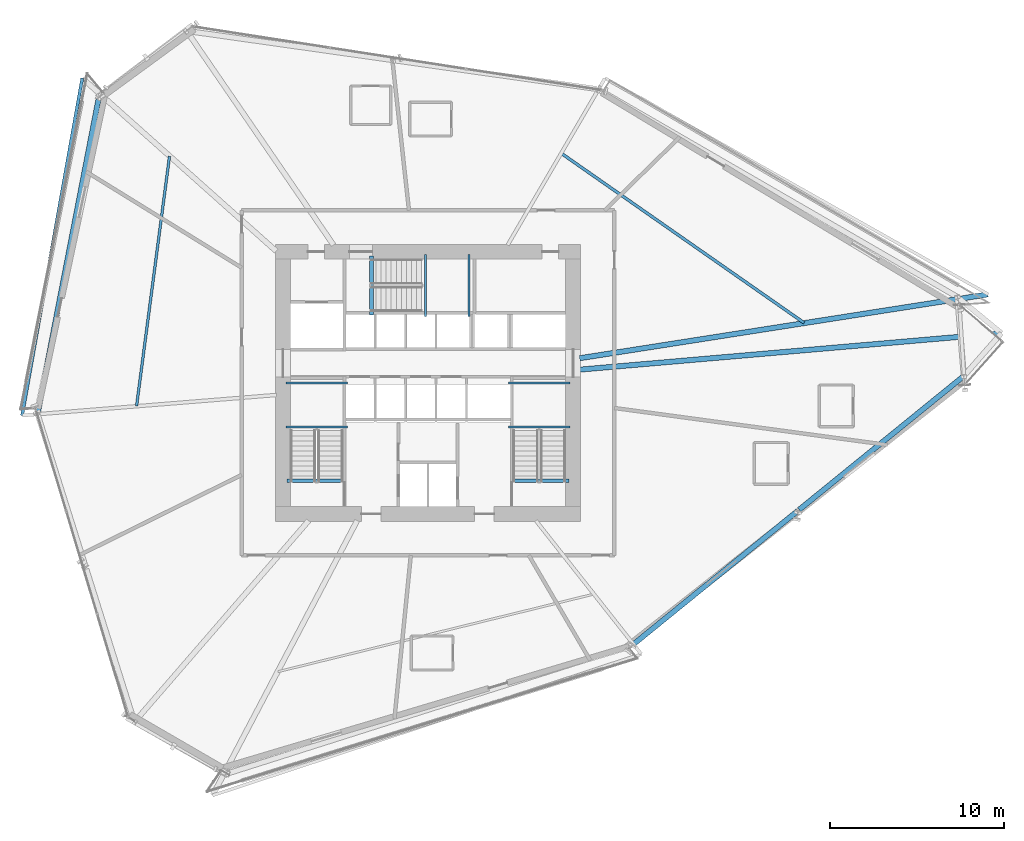
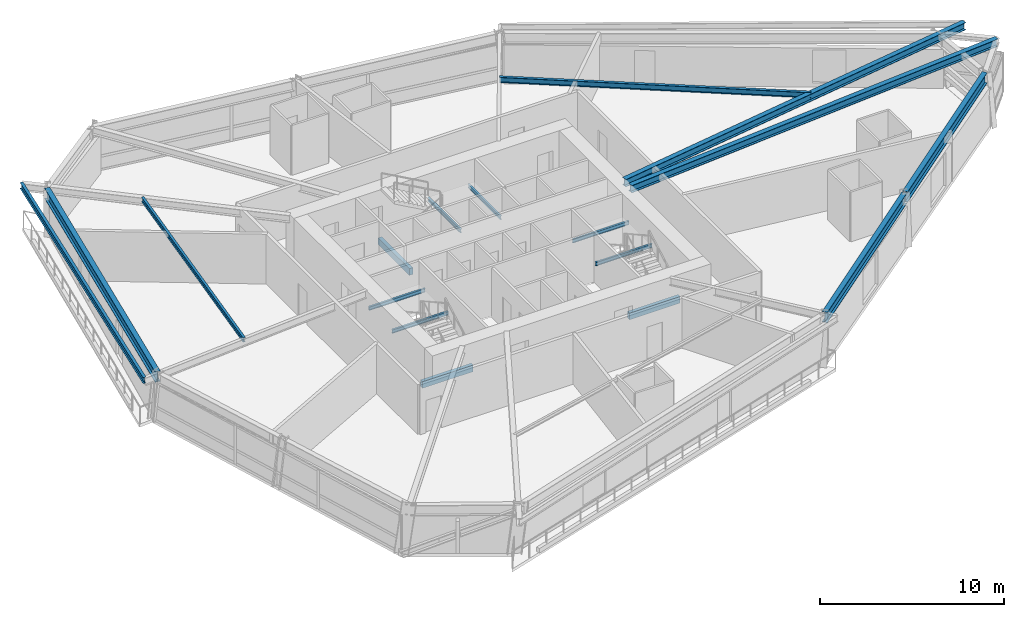
# One storey, part 7 of 22: 17 beams.
"""IFC4 building model written with IfcOpenShell, lengths in metres."""

from ifc_helpers import new_model, si_unit, direction, frame, origin, origin_2d, place, context, subcontext, project, spatial, rectangle, i_section, extrude, source, transform, mapped, material, material_profile, profile_set, type_object, element, save


model = new_model("IFC4")

# Units and contexts
model_context = context("Model", 3, precision=1e-05, world=origin(), true_north=direction((0.0, 1.0)))
body_context = subcontext(model_context, "Body", "Model", "MODEL_VIEW")
ifc_project = project(units=[si_unit("LENGTHUNIT", "METRE"), si_unit("AREAUNIT", "SQUARE_METRE"), si_unit("VOLUMEUNIT", "CUBIC_METRE"), si_unit("PLANEANGLEUNIT", "RADIAN"), si_unit("MASSUNIT", "GRAM", prefix="KILO")], contexts=[model_context])

# Site, building, storey
site_placement = place(None, origin())
site = spatial("IfcSite", under=ifc_project, at=site_placement, CompositionType="ELEMENT")
building_placement = place(site_placement, origin())
building = spatial("IfcBuilding", under=site, at=building_placement, Name="Olszyna Solenne Hotel", CompositionType="ELEMENT")
storey_placement = place(building_placement, frame((0.0, 0.0, 50.60009765625)))
storey = spatial("IfcBuildingStorey", under=building, at=storey_placement, Name="L12", CompositionType="ELEMENT", Elevation=50.60009765625)

# Beams
ifc_material_1 = material(Name="Steel S355J2", Category="steel")
ifc_material_profile_1 = material_profile(ifc_material_1, i_section(OverallWidth=0.300048828125, OverallDepth=0.699951171875, WebThickness=0.01708984375, FlangeThickness=0.031982421875, at=origin_2d()), Name="HEB 700", Category="load-bearing")
ifc_profile_set_1 = profile_set([ifc_material_profile_1], Name="Steel S355J2")
beam_type_1 = type_object("IfcBeamType", Name="BM-S1", PredefinedType="BEAM", material=ifc_profile_set_1)
shared_shape_1 = source(origin(), body_context, "Body", "SweptSolid", [
    extrude(i_section(OverallWidth=0.300048828125, OverallDepth=0.699951171875, WebThickness=0.01708984375, FlangeThickness=0.031982421875, at=origin_2d()), origin(), (0.0, 0.0, 1.0), 18.40234375),
])
beam_1_placement = place(storey_placement, frame((19.102294921875, 42.92919921875, 2.949951171875), z_axis=(-0.190114308106, -0.98176196191, 0.0), x_axis=(0.98176196191, -0.190114308106, 0.0)))
element("IfcBeam", 1, at=beam_1_placement, inside=storey, type_object=beam_type_1, Name="Perimeter spandrel beam BM-S1 B-L12-0382", PredefinedType="BEAM", context=body_context, shape_type="MappedRepresentation", body=[
    mapped(shared_shape_1, transform((0.0, 0.0, 0.0), x_axis=(1.0, 0.0, 0.0), y_axis=(0.0, 1.0, 0.0), z_axis=(0.0, 0.0, 1.0), scale=1.0)),
])
shared_shape_2 = source(origin(), body_context, "Body", "SweptSolid", [
    extrude(i_section(OverallWidth=0.300048828125, OverallDepth=0.699951171875, WebThickness=0.01708984375, FlangeThickness=0.031982421875, at=origin_2d()), origin(), (0.0, 0.0, 1.0), 12.106689453125),
])
for number, where, z_axis, x_axis, name in (
    (2, (49.8095703125, 11.61328125, 2.949951171875), (0.776418624639, 0.63021751746, 0.0), (-0.63021751746, 0.776418624639, 0.0), "Perimeter spandrel beam BM-S1 B-L12-0387"),
    (3, (59.302490234375, 19.31884765625, 2.949951171875), (0.776428491986, 0.63020536084, 0.0), (-0.63020536084, 0.776428491986, 0.0), "Perimeter spandrel beam BM-S1 B-L12-0388"),
):
    element("IfcBeam", number, at=place(storey_placement, frame(where, z_axis=z_axis, x_axis=x_axis)), inside=storey, type_object=beam_type_1, Name=name, PredefinedType="BEAM", context=body_context, shape_type="MappedRepresentation", body=[
        mapped(shared_shape_2, transform((0.0, 0.0, 0.0), x_axis=(1.0, 0.0, 0.0), y_axis=(0.0, 1.0, 0.0), z_axis=(0.0, 0.0, 1.0), scale=1.0)),
    ])
ifc_material_profile_2 = material_profile(ifc_material_1, i_section(OverallWidth=0.300048828125, OverallDepth=0.489990234375, WebThickness=0.011962890625, FlangeThickness=0.02294921875, at=origin_2d()), Name="HEA 500", Category="load-bearing")
ifc_profile_set_2 = profile_set([ifc_material_profile_2], Name="Steel S355J2")
beam_type_2 = type_object("IfcBeamType", Name="BM-G1", PredefinedType="BEAM", material=ifc_profile_set_2)
shared_shape_3 = source(origin(), body_context, "Body", "SweptSolid", [
    extrude(i_section(OverallWidth=0.300048828125, OverallDepth=0.489990234375, WebThickness=0.011962890625, FlangeThickness=0.02294921875, at=origin_2d()), origin(), (0.0, 0.0, 1.0), 24.276611328125),
])
beam_2_placement = place(storey_placement, frame((70.88671875, 29.445068359375, 3.054931640625), z_axis=(-0.996291284559, -0.086044618148, 0.0), x_axis=(0.086044618148, -0.996291284559, 0.0)))
element("IfcBeam", 4, at=beam_2_placement, inside=storey, type_object=beam_type_2, Name="Radial floor girder BM-G1 B-L12-0389", PredefinedType="BEAM", context=body_context, shape_type="MappedRepresentation", body=[
    mapped(shared_shape_3, transform((0.0, 0.0, 0.0), x_axis=(1.0, 0.0, 0.0), y_axis=(0.0, 1.0, 0.0), z_axis=(0.0, 0.0, 1.0), scale=1.0)),
])
shared_shape_4 = source(origin(), body_context, "Body", "SweptSolid", [
    extrude(i_section(OverallWidth=0.300048828125, OverallDepth=0.489990234375, WebThickness=0.011962890625, FlangeThickness=0.02294921875, at=origin_2d()), origin(), (0.0, 0.0, 1.0), 23.718505859375),
])
beam_3_placement = place(storey_placement, frame((70.13427734375, 31.67578125, 3.054931640625), z_axis=(-0.987990829492, -0.154512526478, 0.0), x_axis=(0.154512526478, -0.987990829492, 0.0)))
element("IfcBeam", 5, at=beam_3_placement, inside=storey, type_object=beam_type_2, Name="Radial floor girder BM-G1 B-L12-0390", PredefinedType="BEAM", context=body_context, shape_type="MappedRepresentation", body=[
    mapped(shared_shape_4, transform((0.0, 0.0, 0.0), x_axis=(1.0, 0.0, 0.0), y_axis=(0.0, 1.0, 0.0), z_axis=(0.0, 0.0, 1.0), scale=1.0)),
])
ifc_material_profile_3 = material_profile(ifc_material_1, i_section(OverallWidth=0.169921875, OverallDepth=0.360107421875, WebThickness=0.008056640625, FlangeThickness=0.0126953125, at=origin_2d()), Name="IPE 360", Category="load-bearing")
ifc_profile_set_3 = profile_set([ifc_material_profile_3], Name="Steel S355J2")
beam_type_3 = type_object("IfcBeamType", Name="JS-01", PredefinedType="JOIST", material=ifc_profile_set_3)
shared_shape_5 = source(origin(), body_context, "Body", "SweptSolid", [
    extrude(i_section(OverallWidth=0.169921875, OverallDepth=0.360107421875, WebThickness=0.008056640625, FlangeThickness=0.0126953125, at=origin_2d()), origin(), (0.0, 0.0, 1.0), 16.9814453125),
])
beam_4_placement = place(storey_placement, frame((59.58349609375, 30.039794921875, 3.119873046875), z_axis=(-0.819883849071, 0.572529889205, 0.0), x_axis=(-0.572529889205, -0.819883849071, 0.0)))
element("IfcBeam", 6, at=beam_4_placement, inside=storey, type_object=beam_type_3, Name="Secondary composite floor joist JS-01 B-L12-0400", PredefinedType="JOIST", context=body_context, shape_type="MappedRepresentation", body=[
    mapped(shared_shape_5, transform((0.0, 0.0, 0.0), x_axis=(1.0, 0.0, 0.0), y_axis=(0.0, 1.0, 0.0), z_axis=(0.0, 0.0, 1.0), scale=1.0)),
])
ifc_material_profile_4 = material_profile(ifc_material_1, i_section(OverallWidth=0.14990234375, OverallDepth=0.300048828125, WebThickness=0.007080078125, FlangeThickness=0.0107421875, at=origin_2d()), Name="IPE 300", Category="load-bearing")
ifc_profile_set_4 = profile_set([ifc_material_profile_4], Name="Steel S355J2")
beam_type_4 = type_object("IfcBeamType", Name="JS-02", PredefinedType="JOIST", material=ifc_profile_set_4)
shared_shape_6 = source(origin(), body_context, "Body", "SweptSolid", [
    extrude(i_section(OverallWidth=0.14990234375, OverallDepth=0.300048828125, WebThickness=0.007080078125, FlangeThickness=0.0107421875, at=origin_2d()), origin(), (0.0, 0.0, 1.0), 14.44580078125),
])
beam_5_placement = place(storey_placement, frame((23.164794921875, 39.59765625, 3.14990234375), z_axis=(-0.130792006318, -0.991409830032, 0.0), x_axis=(0.991409830032, -0.130792006318, 0.0)))
element("IfcBeam", 7, at=beam_5_placement, inside=storey, type_object=beam_type_4, Name="Secondary composite floor joist JS-02 B-L12-0401", PredefinedType="JOIST", context=body_context, shape_type="MappedRepresentation", body=[
    mapped(shared_shape_6, transform((0.0, 0.0, 0.0), x_axis=(1.0, 0.0, 0.0), y_axis=(0.0, 1.0, 0.0), z_axis=(0.0, 0.0, 1.0), scale=1.0)),
])
ifc_material_profile_5 = material_profile(ifc_material_1, i_section(OverallWidth=0.179931640625, OverallDepth=0.39990234375, WebThickness=0.008544921875, FlangeThickness=0.013427734375, at=origin_2d()), Name="IPE 400", Category="load-bearing")
ifc_profile_set_5 = profile_set([ifc_material_profile_5], Name="Steel S355J2")
beam_type_5 = type_object("IfcBeamType", Name="BM-F5", PredefinedType="BEAM", material=ifc_profile_set_5)
shared_shape_7 = source(origin(), body_context, "Body", "SweptSolid", [
    extrude(i_section(OverallWidth=0.179931640625, OverallDepth=0.39990234375, WebThickness=0.008544921875, FlangeThickness=0.013427734375, at=origin_2d()), origin(), (0.0, 0.0, 1.0), 19.661376953125),
])
beam_6_placement = place(storey_placement, frame((18.159912109375, 44.082763671875, 3.099853515625), z_axis=(-0.175716717656, -0.984440772792, 0.0), x_axis=(0.984440772792, -0.175716717656, 0.0)))
element("IfcBeam", 8, at=beam_6_placement, inside=storey, type_object=beam_type_5, Name="Loggia outer edge beam BM-F5 B-L12-0404", PredefinedType="BEAM", context=body_context, shape_type="MappedRepresentation", body=[
    mapped(shared_shape_7, transform((0.0, 0.0, 0.0), x_axis=(1.0, 0.0, 0.0), y_axis=(0.0, 1.0, 0.0), z_axis=(0.0, 0.0, 1.0), scale=1.0)),
])
ifc_material_profile_6 = material_profile(ifc_material_1, i_section(OverallWidth=0.1201171875, OverallDepth=0.239990234375, WebThickness=0.006103515625, FlangeThickness=0.009765625, at=origin_2d()), Name="IPE 240", Category="load-bearing")
ifc_profile_set_6 = profile_set([ifc_material_profile_6], Name="Steel S355J2")
beam_type_6 = type_object("IfcBeamType", Name="JS-03", PredefinedType="JOIST", material=ifc_profile_set_6)
shared_shape_8 = source(origin(), body_context, "Body", "SweptSolid", [
    extrude(i_section(OverallWidth=0.1201171875, OverallDepth=0.239990234375, WebThickness=0.006103515625, FlangeThickness=0.009765625, at=origin_2d()), origin(), (0.0, 0.0, 1.0), 3.539794921875),
])
for number, where, z_axis, x_axis, name in (
    (9, (33.3798828125, 24.070068359375, 1.449951171875), (-1.0, 0.0, 0.0), (0.0, -1.0, 0.0), "Stair landing support beam JS-03 SLB-ST1-0029"),
    (10, (33.3798828125, 26.580078125, 1.449951171875), (-1.0, 0.0, 0.0), (0.0, -1.0, 0.0), "Stair landing support beam JS-03 SLB-ST1-0030"),
    (11, (46.159912109375, 24.070068359375, 1.449951171875), (-1.0, 0.0, 0.0), (0.0, -1.0, 0.0), "Stair landing support beam JS-03 SLB-ST2-0269"),
    (12, (46.159912109375, 26.580078125, 1.449951171875), (-1.0, 0.0, 0.0), (0.0, -1.0, 0.0), "Stair landing support beam JS-03 SLB-ST2-0270"),
):
    element("IfcBeam", number, at=place(storey_placement, frame(where, z_axis=z_axis, x_axis=x_axis)), inside=storey, type_object=beam_type_6, Name=name, PredefinedType="JOIST", context=body_context, shape_type="MappedRepresentation", body=[
        mapped(shared_shape_8, transform((0.0, 0.0, 0.0), x_axis=(1.0, 0.0, 0.0), y_axis=(0.0, 1.0, 0.0), z_axis=(0.0, 0.0, 1.0), scale=1.0)),
    ])
ifc_material_2 = material(Name="Concrete C50/60", Category="concrete")
ifc_material_profile_7 = material_profile(ifc_material_2, rectangle(XDim=0.219970703125, YDim=0.43994140625, at=origin_2d()), Name="RC 220x440", Category="load-bearing")
ifc_profile_set_7 = profile_set([ifc_material_profile_7], Name="Concrete C50/60")
beam_type_7 = type_object("IfcBeamType", Name="BM-ST1", PredefinedType="BEAM", material=ifc_profile_set_7)
shared_shape_9 = source(origin(), body_context, "Body", "SweptSolid", [
    extrude(rectangle(XDim=0.219970703125, YDim=0.43994140625, at=origin_2d()), origin(), (0.0, 0.0, 1.0), 3.18017578125),
])
for number, where, z_axis, x_axis, name in (
    (13, (33.10009765625, 20.97998046875, -0.205078125), (-1.0, 0.0, 0.0), (0.0, -1.0, 0.0), "Concrete stair trimmer beam BM-ST1 SHB-ST1-0174"),
    (14, (46.080078125, 20.97998046875, -0.205078125), (-1.0, 0.0, 0.0), (0.0, -1.0, 0.0), "Concrete stair trimmer beam BM-ST1 SHB-ST2-0414"),
):
    element("IfcBeam", number, at=place(storey_placement, frame(where, z_axis=z_axis, x_axis=x_axis)), inside=storey, type_object=beam_type_7, Name=name, PredefinedType="BEAM", context=body_context, shape_type="MappedRepresentation", body=[
        mapped(shared_shape_9, transform((0.0, 0.0, 0.0), x_axis=(1.0, 0.0, 0.0), y_axis=(0.0, 1.0, 0.0), z_axis=(0.0, 0.0, 1.0), scale=1.0)),
    ])
shared_shape_10 = source(origin(), body_context, "Body", "SweptSolid", [
    extrude(i_section(OverallWidth=0.1201171875, OverallDepth=0.239990234375, WebThickness=0.006103515625, FlangeThickness=0.009765625, at=origin_2d()), origin(), (0.0, 0.0, 1.0), 3.5400390625),
])
for number, where, z_axis, x_axis, name in (
    (15, (37.85009765625, 30.419921875, 1.449951171875), (0.0, 1.0, 0.0), (-1.0, 0.0, 0.0), "Stair landing support beam JS-03 SLB-ST3-0509"),
    (16, (40.360107421875, 30.419921875, 1.449951171875), (0.0, 1.0, 0.0), (-1.0, 0.0, 0.0), "Stair landing support beam JS-03 SLB-ST3-0510"),
):
    element("IfcBeam", number, at=place(storey_placement, frame(where, z_axis=z_axis, x_axis=x_axis)), inside=storey, type_object=beam_type_6, Name=name, PredefinedType="JOIST", context=body_context, shape_type="MappedRepresentation", body=[
        mapped(shared_shape_10, transform((0.0, 0.0, 0.0), x_axis=(1.0, 0.0, 0.0), y_axis=(0.0, 1.0, 0.0), z_axis=(0.0, 0.0, 1.0), scale=1.0)),
    ])
shared_shape_11 = source(origin(), body_context, "Body", "SweptSolid", [
    extrude(rectangle(XDim=0.219970703125, YDim=0.43994140625, at=origin_2d()), origin(), (0.0, 0.0, 1.0), 3.3798828125),
])
beam_7_placement = place(storey_placement, frame((34.760009765625, 30.5, -0.205078125), z_axis=(0.0, 1.0, 0.0), x_axis=(-1.0, 0.0, 0.0)))
element("IfcBeam", 17, at=beam_7_placement, inside=storey, type_object=beam_type_7, Name="Concrete stair trimmer beam BM-ST1 SHB-ST3-0652", PredefinedType="BEAM", context=body_context, shape_type="MappedRepresentation", body=[
    mapped(shared_shape_11, transform((0.0, 0.0, 0.0), x_axis=(1.0, 0.0, 0.0), y_axis=(0.0, 1.0, 0.0), z_axis=(0.0, 0.0, 1.0), scale=1.0)),
])

save(model, "model.ifc")
